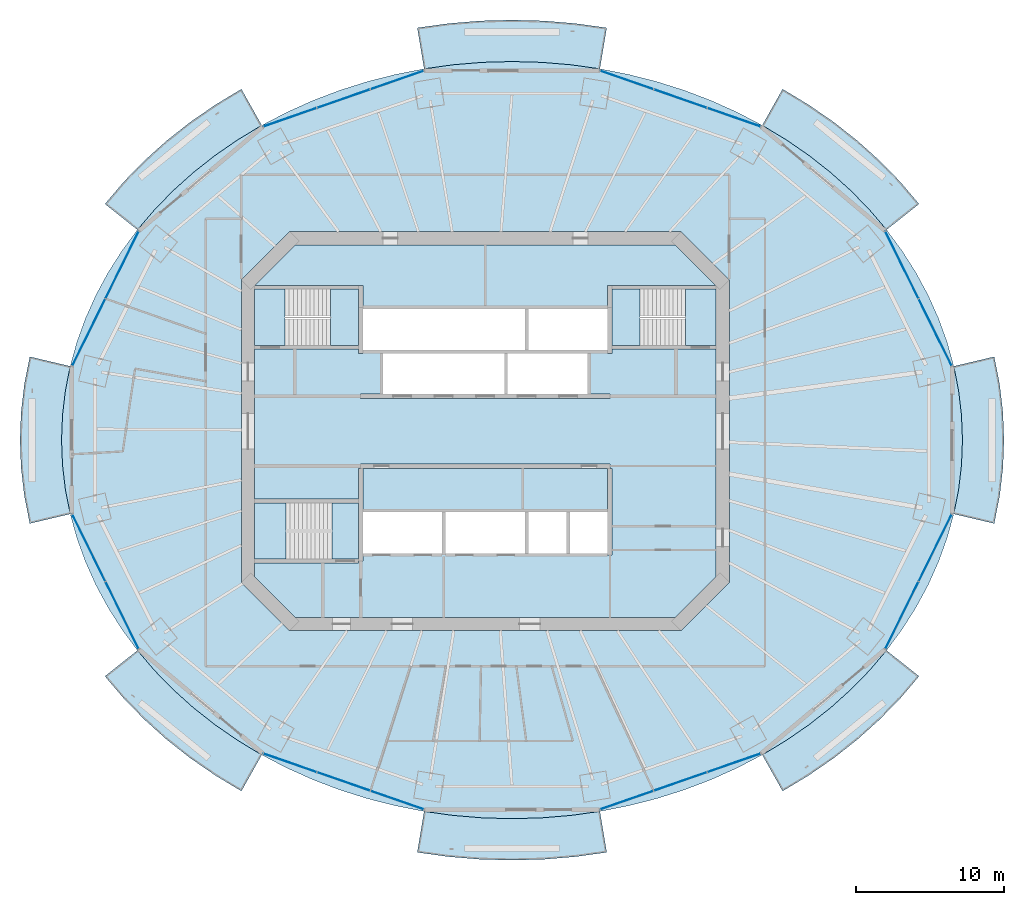
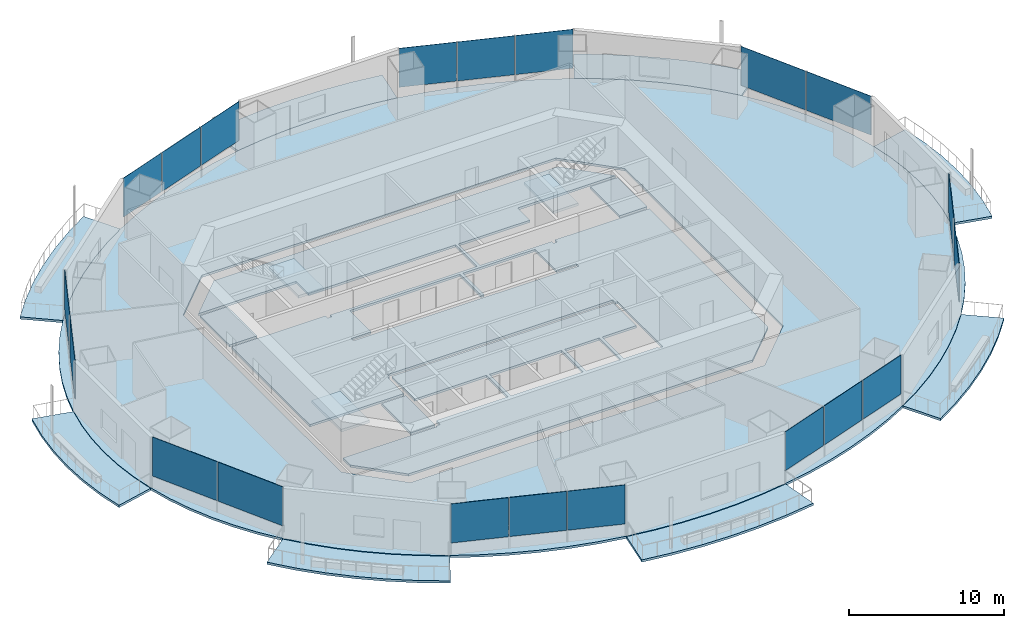
# One storey, part 9 of 19: 20 plates, 16 slabs, 11 elements without a shape of their own.
"""IFC4 building model written with IfcOpenShell, lengths in metres."""

from ifc_helpers import new_model, si_unit, direction, frame, origin, origin_2d, place, context, subcontext, project, spatial, polyline, rectangle, outline, extrude, material, layer, layer_set, type_object, element, aggregate, save


model = new_model("IFC4")

# Units and contexts
model_context = context("Model", 3, precision=1e-05, world=origin(), true_north=direction((0.0, 1.0)))
body_context = subcontext(model_context, "Body", "Model", "MODEL_VIEW")
ifc_project = project(units=[si_unit("LENGTHUNIT", "METRE"), si_unit("AREAUNIT", "SQUARE_METRE"), si_unit("VOLUMEUNIT", "CUBIC_METRE"), si_unit("PLANEANGLEUNIT", "RADIAN"), si_unit("MASSUNIT", "GRAM", prefix="KILO")], contexts=[model_context])

# Site, building, storey
site_placement = place(None, origin())
site = spatial("IfcSite", under=ifc_project, at=site_placement, CompositionType="ELEMENT")
building_placement = place(site_placement, origin())
building = spatial("IfcBuilding", under=site, at=building_placement, Name="Marenthal Gate Tower", CompositionType="ELEMENT")
storey_placement = place(building_placement, frame((0.0, 0.0, 239.89990234375)))
storey = spatial("IfcBuildingStorey", under=building, at=storey_placement, Name="L53", CompositionType="ELEMENT", Elevation=239.89990234375)

# Slabs
ifc_material_1 = material(Name="Concrete 40 MPa", Category="concrete")
ifc_layer_1 = layer(ifc_material_1, 0.179931640625)
ifc_layer_set_1 = layer_set([ifc_layer_1], Name="Balcony deck 180")
slab_type_1 = type_object("IfcSlabType", Name="Balcony deck 180", PredefinedType="USERDEFINED", material=ifc_layer_set_1)
slab_1_placement = place(storey_placement, frame((0.0, 0.0, -0.219970703125)))
element("IfcSlab", 1, at=slab_1_placement, inside=storey, type_object=slab_type_1, Name="Balcony deck L53 bay 2", ObjectType="BALCONY", PredefinedType="USERDEFINED", context=body_context, shape_type="SweptSolid", body=[
    extrude(outline(polyline([(27.047607421875, 13.57763671875), (25.89013671875, 14.93505859375), (24.629638671875, 16.225830078125), (23.271240234375, 17.444580078125), (21.821044921875, 18.586181640625), (20.284912109375, 19.6455078125), (18.669921875, 20.618408203125), (20.040771484375, 23.059814453125), (21.802490234375, 21.998779296875), (23.482177734375, 20.840087890625), (25.07275390625, 19.588134765625), (26.56689453125, 18.247314453125), (27.9580078125, 16.822998046875), (29.2392578125, 15.320068359375), (27.047607421875, 13.57763671875)])), origin(), (0.0, 0.0, 1.0), 0.18017578125),
])
slab_2_placement = place(storey_placement, frame((0.0, 0.0, -0.219970703125)))
element("IfcSlab", 2, at=slab_2_placement, inside=storey, type_object=slab_type_1, Name="Balcony deck L53 bay 4", ObjectType="BALCONY", PredefinedType="USERDEFINED", context=body_context, shape_type="SweptSolid", body=[
    extrude(outline(polyline([(7.723876953125, 24.4287109375), (5.763427734375, 24.70068359375), (3.785888671875, 24.864501953125), (1.800048828125, 24.9189453125), (-0.18603515625, 24.864501953125), (-2.163330078125, 24.70068359375), (-4.123779296875, 24.4287109375), (-4.58544921875, 27.1904296875), (-2.471435546875, 27.483642578125), (-0.340087890625, 27.66015625), (1.800048828125, 27.718994140625), (3.93994140625, 27.66015625), (6.0712890625, 27.483642578125), (8.185546875, 27.1904296875), (7.723876953125, 24.4287109375)])), origin(), (0.0, 0.0, 1.0), 0.18017578125),
])
slab_3_placement = place(storey_placement, frame((0.0, 0.0, -0.219970703125)))
element("IfcSlab", 3, at=slab_3_placement, inside=storey, type_object=slab_type_1, Name="Balcony deck L53 bay 6", ObjectType="BALCONY", PredefinedType="USERDEFINED", context=body_context, shape_type="SweptSolid", body=[
    extrude(outline(polyline([(-15.06982421875, 20.618408203125), (-16.68505859375, 19.6455078125), (-18.220947265625, 18.586181640625), (-19.67138671875, 17.444580078125), (-21.029541015625, 16.225830078125), (-22.290283203125, 14.93505859375), (-23.447509765625, 13.57763671875), (-25.639404296875, 15.320068359375), (-24.35791015625, 16.822998046875), (-22.966796875, 18.247314453125), (-21.47265625, 19.588134765625), (-19.88232421875, 20.840087890625), (-18.202392578125, 21.998779296875), (-16.44091796875, 23.059814453125), (-15.06982421875, 20.618408203125)])), origin(), (0.0, 0.0, 1.0), 0.18017578125),
])
slab_4_placement = place(storey_placement, frame((0.0, 0.0, -0.219970703125)))
element("IfcSlab", 4, at=slab_4_placement, inside=storey, type_object=slab_type_1, Name="Balcony deck L53 bay 8", ObjectType="BALCONY", PredefinedType="USERDEFINED", context=body_context, shape_type="SweptSolid", body=[
    extrude(outline(polyline([(-27.9814453125, 4.37841796875), (-28.30517578125, 2.73095703125), (-28.5, 1.069091796875), (-28.56494140625, -0.60009765625), (-28.5, -2.26904296875), (-28.30517578125, -3.930908203125), (-27.9814453125, -5.57861328125), (-30.706298828125, -6.223388671875), (-31.071533203125, -4.3642578125), (-31.29150390625, -2.48681640625), (-31.364990234375, -0.60009765625), (-31.29150390625, 1.28662109375), (-31.071533203125, 3.164306640625), (-30.706298828125, 5.0234375), (-27.9814453125, 4.37841796875)])), origin(), (0.0, 0.0, 1.0), 0.18017578125),
])
slab_5_placement = place(storey_placement, frame((0.0, 0.0, -0.219970703125)))
element("IfcSlab", 5, at=slab_5_placement, inside=storey, type_object=slab_type_1, Name="Balcony deck L53 bay 10", ObjectType="BALCONY", PredefinedType="USERDEFINED", context=body_context, shape_type="SweptSolid", body=[
    extrude(outline(polyline([(-23.447509765625, -14.777587890625), (-22.290283203125, -16.135009765625), (-21.029541015625, -17.42578125), (-19.67138671875, -18.644775390625), (-18.220947265625, -19.7861328125), (-16.68505859375, -20.845703125), (-15.06982421875, -21.818359375), (-16.44091796875, -24.259765625), (-18.202392578125, -23.19873046875), (-19.88232421875, -22.040283203125), (-21.47265625, -20.788330078125), (-22.966796875, -19.447509765625), (-24.35791015625, -18.02294921875), (-25.639404296875, -16.52001953125), (-23.447509765625, -14.777587890625)])), origin(), (0.0, 0.0, 1.0), 0.18017578125),
])
slab_6_placement = place(storey_placement, frame((0.0, 0.0, -0.219970703125)))
element("IfcSlab", 6, at=slab_6_placement, inside=storey, type_object=slab_type_1, Name="Balcony deck L53 bay 12", ObjectType="BALCONY", PredefinedType="USERDEFINED", context=body_context, shape_type="SweptSolid", body=[
    extrude(outline(polyline([(-4.123779296875, -25.628662109375), (-2.163330078125, -25.900634765625), (-0.18603515625, -26.064453125), (1.800048828125, -26.118896484375), (3.785888671875, -26.064453125), (5.763427734375, -25.900634765625), (7.723876953125, -25.628662109375), (8.185546875, -28.390380859375), (6.0712890625, -28.683837890625), (3.93994140625, -28.860107421875), (1.800048828125, -28.9189453125), (-0.340087890625, -28.860107421875), (-2.471435546875, -28.683837890625), (-4.58544921875, -28.390380859375), (-4.123779296875, -25.628662109375)])), origin(), (0.0, 0.0, 1.0), 0.18017578125),
])
slab_7_placement = place(storey_placement, frame((0.0, 0.0, -0.219970703125)))
element("IfcSlab", 7, at=slab_7_placement, inside=storey, type_object=slab_type_1, Name="Balcony deck L53 bay 14", ObjectType="BALCONY", PredefinedType="USERDEFINED", context=body_context, shape_type="SweptSolid", body=[
    extrude(outline(polyline([(18.669921875, -21.818359375), (20.284912109375, -20.845703125), (21.821044921875, -19.7861328125), (23.271240234375, -18.644775390625), (24.629638671875, -17.42578125), (25.89013671875, -16.135009765625), (27.047607421875, -14.777587890625), (29.2392578125, -16.52001953125), (27.9580078125, -18.02294921875), (26.56689453125, -19.447509765625), (25.07275390625, -20.788330078125), (23.482177734375, -22.040283203125), (21.802490234375, -23.19873046875), (20.040771484375, -24.259765625), (18.669921875, -21.818359375)])), origin(), (0.0, 0.0, 1.0), 0.18017578125),
])
slab_8_placement = place(storey_placement, frame((0.0, 0.0, -0.219970703125)))
element("IfcSlab", 8, at=slab_8_placement, inside=storey, type_object=slab_type_1, Name="Balcony deck L53 bay 16", ObjectType="BALCONY", PredefinedType="USERDEFINED", context=body_context, shape_type="SweptSolid", body=[
    extrude(outline(polyline([(31.58154296875, -5.57861328125), (31.9052734375, -3.930908203125), (32.10009765625, -2.26904296875), (32.1650390625, -0.60009765625), (32.10009765625, 1.069091796875), (31.9052734375, 2.73095703125), (31.58154296875, 4.37841796875), (34.30615234375, 5.0234375), (34.67138671875, 3.164306640625), (34.8916015625, 1.28662109375), (34.965087890625, -0.60009765625), (34.8916015625, -2.48681640625), (34.67138671875, -4.3642578125), (34.30615234375, -6.223388671875), (31.58154296875, -5.57861328125)])), origin(), (0.0, 0.0, 1.0), 0.18017578125),
])
ifc_material_2 = material(Name="Concrete 50 MPa", Category="concrete")
ifc_layer_2 = layer(ifc_material_2, 0.179931640625)
ifc_layer_set_2 = layer_set([ifc_layer_2], Name="Core floor slab 180")
slab_type_2 = type_object("IfcSlabType", Name="Core floor slab 180", PredefinedType="FLOOR", material=ifc_layer_set_2)
slab_9_placement = place(storey_placement, frame((0.0, 0.0, -0.179931640625)))
element("IfcSlab", 9, at=slab_9_placement, inside=storey, type_object=slab_type_2, Name="Core floor L53", PredefinedType="FLOOR", context=body_context, shape_type="SweptSolid", body=[
    extrude(outline(polyline([(12.813720703125, -12.550048828125), (-12.813720703125, -12.550048828125), (-15.550048828125, -9.813720703125), (-15.550048828125, -8.875), (-8.550048828125, -8.875), (-8.550048828125, -8.75), (-8.25, -8.75), (-8.25, -8.239990234375), (-5.60009765625, -8.239990234375), (-2.909912109375, -8.239990234375), (-2.909912109375, -5.4599609375), (-5.60009765625, -5.4599609375), (-8.25, -5.4599609375), (-8.25, -2.5), (8.25, -2.5), (8.25, -5.4599609375), (5.7099609375, -5.4599609375), (5.7099609375, -8.239990234375), (8.25, -8.239990234375), (8.25, -8.35009765625), (8.550048828125, -8.35009765625), (8.550048828125, -2.5), (8.39990234375, -2.5), (8.39990234375, -2.199951171875), (-8.39990234375, -2.199951171875), (-8.39990234375, -2.5), (-8.550048828125, -2.5), (-8.550048828125, -4.574951171875), (-15.550048828125, -4.574951171875), (-15.550048828125, 5.52490234375), (-8.550048828125, 5.52490234375), (-8.550048828125, 5.239990234375), (-8.25, 5.239990234375), (-8.25, 5.4599609375), (-5.60009765625, 5.4599609375), (-2.800048828125, 5.4599609375), (0.0, 5.4599609375), (2.68994140625, 5.4599609375), (2.68994140625, 8.239990234375), (0.0, 8.239990234375), (-2.800048828125, 8.239990234375), (-5.60009765625, 8.239990234375), (-8.25, 8.239990234375), (-8.25, 8.35009765625), (-8.25, 9.824951171875), (-8.550048828125, 9.824951171875), (-15.53857421875, 9.824951171875), (-12.813720703125, 12.550048828125), (12.813720703125, 12.550048828125), (15.53857421875, 9.824951171875), (8.550048828125, 9.824951171875), (8.25, 9.824951171875), (8.25, 8.35009765625), (8.25, 8.239990234375), (5.60009765625, 8.239990234375), (2.909912109375, 8.239990234375), (2.909912109375, 5.4599609375), (5.60009765625, 5.4599609375), (8.25, 5.4599609375), (8.25, 5.239990234375), (8.550048828125, 5.239990234375), (8.550048828125, 5.52490234375), (15.550048828125, 5.52490234375), (15.550048828125, -9.813720703125), (12.813720703125, -12.550048828125)]), holes=[polyline([(2.68994140625, -8.239990234375), (2.68994140625, -5.4599609375), (0.0, -5.4599609375), (-2.68994140625, -5.4599609375), (-2.68994140625, -8.239990234375), (0.0, -8.239990234375), (2.68994140625, -8.239990234375)]), polyline([(-6.889892578125, 5.239990234375), (-6.889892578125, 2.5), (-8.39990234375, 2.5), (-8.39990234375, 2.199951171875), (8.39990234375, 2.199951171875), (8.39990234375, 2.5), (6.889892578125, 2.5), (6.889892578125, 5.239990234375), (4.199951171875, 5.239990234375), (1.510009765625, 5.239990234375), (1.510009765625, 2.5), (1.2900390625, 2.5), (1.2900390625, 5.239990234375), (-1.39990234375, 5.239990234375), (-4.199951171875, 5.239990234375), (-6.889892578125, 5.239990234375)]), polyline([(5.489990234375, -8.239990234375), (5.489990234375, -5.4599609375), (2.909912109375, -5.4599609375), (2.909912109375, -8.239990234375), (5.489990234375, -8.239990234375)])]), origin(), (0.0, 0.0, 1.0), 0.179931640625),
])
slab_10_placement = place(storey_placement, frame((0.0, 0.0, -0.179931640625)))
element("IfcSlab", 10, at=slab_10_placement, inside=storey, type_object=slab_type_2, Name="Core floor L53", PredefinedType="FLOOR", context=body_context, shape_type="SweptSolid", body=[
    extrude(outline(polyline([(15.550048828125, 5.77490234375), (13.5, 5.77490234375), (13.5, 9.574951171875), (15.550048828125, 9.574951171875), (15.550048828125, 5.77490234375)])), origin(), (0.0, 0.0, 1.0), 0.179931640625),
])
slab_11_placement = place(storey_placement, frame((0.0, 0.0, -0.179931640625)))
element("IfcSlab", 11, at=slab_11_placement, inside=storey, type_object=slab_type_2, Name="Core floor L53", PredefinedType="FLOOR", context=body_context, shape_type="SweptSolid", body=[
    extrude(outline(polyline([(-15.550048828125, 9.574951171875), (-13.5, 9.574951171875), (-13.5, 5.77490234375), (-15.550048828125, 5.77490234375), (-15.550048828125, 9.574951171875)])), origin(), (0.0, 0.0, 1.0), 0.179931640625),
])
slab_12_placement = place(storey_placement, frame((0.0, 0.0, -0.179931640625)))
element("IfcSlab", 12, at=slab_12_placement, inside=storey, type_object=slab_type_2, Name="Core floor L53", PredefinedType="FLOOR", context=body_context, shape_type="SweptSolid", body=[
    extrude(outline(polyline([(-8.550048828125, -8.625), (-10.35009765625, -8.625), (-10.35009765625, -4.824951171875), (-8.550048828125, -4.824951171875), (-8.550048828125, -8.625)])), origin(), (0.0, 0.0, 1.0), 0.179931640625),
])
ifc_material_3 = material(Name="Concrete 35 MPa", Category="concrete")
ifc_layer_3 = layer(ifc_material_3, 0.179931640625)
ifc_layer_set_3 = layer_set([ifc_layer_3], Name="Floor slab 180")
slab_type_3 = type_object("IfcSlabType", Name="Floor slab 180", PredefinedType="FLOOR", material=ifc_layer_set_3)
slab_13_placement = place(storey_placement, frame((0.0, 0.0, -0.179931640625)))
element("IfcSlab", 13, at=slab_13_placement, inside=storey, type_object=slab_type_3, Name="SL-L53-01", PredefinedType="FLOOR", context=body_context, shape_type="SweptSolid", body=[
    extrude(outline(polyline([(32.1650390625, -0.60009765625), (32.10009765625, 1.069091796875), (31.9052734375, 2.73095703125), (31.58154296875, 4.37841796875), (31.13037109375, 6.0048828125), (30.553466796875, 7.602783203125), (29.853515625, 9.165771484375), (29.033447265625, 10.686767578125), (28.096923828125, 12.159423828125), (27.047607421875, 13.57763671875), (25.89013671875, 14.93505859375), (24.629638671875, 16.225830078125), (23.271240234375, 17.444580078125), (21.821044921875, 18.586181640625), (20.284912109375, 19.6455078125), (18.669921875, 20.618408203125), (16.982421875, 21.5), (15.22998046875, 22.287353515625), (13.420166015625, 22.9765625), (11.560546875, 23.564697265625), (9.658935546875, 24.049560546875), (7.723876953125, 24.4287109375), (5.763427734375, 24.70068359375), (3.785888671875, 24.864501953125), (1.800048828125, 24.9189453125), (-0.18603515625, 24.864501953125), (-2.163330078125, 24.70068359375), (-4.123779296875, 24.4287109375), (-6.05908203125, 24.049560546875), (-7.96044921875, 23.564697265625), (-9.8203125, 22.9765625), (-11.630126953125, 22.287353515625), (-13.382568359375, 21.5), (-15.06982421875, 20.618408203125), (-16.68505859375, 19.6455078125), (-18.220947265625, 18.586181640625), (-19.67138671875, 17.444580078125), (-21.029541015625, 16.225830078125), (-22.290283203125, 14.93505859375), (-23.447509765625, 13.57763671875), (-24.496826171875, 12.159423828125), (-25.43359375, 10.686767578125), (-26.253662109375, 9.165771484375), (-26.95361328125, 7.602783203125), (-27.5302734375, 6.0048828125), (-27.9814453125, 4.37841796875), (-28.30517578125, 2.73095703125), (-28.5, 1.069091796875), (-28.56494140625, -0.60009765625), (-28.5, -2.26904296875), (-28.30517578125, -3.930908203125), (-27.9814453125, -5.57861328125), (-27.5302734375, -7.204833984375), (-26.95361328125, -8.802734375), (-26.253662109375, -10.36572265625), (-25.43359375, -11.88671875), (-24.496826171875, -13.359619140625), (-23.447509765625, -14.777587890625), (-22.290283203125, -16.135009765625), (-21.029541015625, -17.42578125), (-19.67138671875, -18.644775390625), (-18.220947265625, -19.7861328125), (-16.68505859375, -20.845703125), (-15.06982421875, -21.818359375), (-13.382568359375, -22.7001953125), (-11.630126953125, -23.4873046875), (-9.8203125, -24.176513671875), (-7.96044921875, -24.7646484375), (-6.05908203125, -25.24951171875), (-4.123779296875, -25.628662109375), (-2.163330078125, -25.900634765625), (-0.18603515625, -26.064453125), (1.800048828125, -26.118896484375), (3.785888671875, -26.064453125), (5.763427734375, -25.900634765625), (7.723876953125, -25.628662109375), (9.658935546875, -25.24951171875), (11.560546875, -24.7646484375), (13.420166015625, -24.176513671875), (15.22998046875, -23.4873046875), (16.982421875, -22.7001953125), (18.669921875, -21.818359375), (20.284912109375, -20.845703125), (21.821044921875, -19.7861328125), (23.271240234375, -18.644775390625), (24.629638671875, -17.42578125), (25.89013671875, -16.135009765625), (27.047607421875, -14.777587890625), (28.096923828125, -13.359619140625), (29.033447265625, -11.88671875), (29.853515625, -10.36572265625), (30.553466796875, -8.802734375), (31.13037109375, -7.204833984375), (31.58154296875, -5.57861328125), (31.9052734375, -3.930908203125), (32.10009765625, -2.26904296875), (32.1650390625, -0.60009765625)]), holes=[polyline([(13.186279296875, -13.449951171875), (16.449951171875, -10.186279296875), (16.449951171875, 10.186279296875), (13.186279296875, 13.449951171875), (-13.186279296875, 13.449951171875), (-16.449951171875, 10.186279296875), (-16.449951171875, -10.186279296875), (-13.186279296875, -13.449951171875), (13.186279296875, -13.449951171875)])]), origin(), (0.0, 0.0, 1.0), 0.179931640625),
])

# Curtain wall, plates
ifc_material_4 = material(Name="Aluminium and glass", Category="aluminium")
curtain_wall_type = type_object("IfcCurtainWallType", Name="Curtain wall typical mid", PredefinedType="NOTDEFINED", material=ifc_material_4)
curtain_wall_1_placement = place(storey_placement, origin())
curtain_wall_1 = element("IfcCurtainWall", 14, at=curtain_wall_1_placement, inside=storey, type_object=curtain_wall_type, Name="Curtain wall L53 bay 1", PredefinedType="NOTDEFINED")
ifc_material_5 = material(Name="Glass, laminated insulating unit", Category="glass")
ifc_layer_4 = layer(ifc_material_5, 0.030029296875)
ifc_layer_set_4 = layer_set([ifc_layer_4], Name="Glass panel 30 typical mid")
plate_type = type_object("IfcPlateType", Name="Glass panel 30 typical mid", PredefinedType="CURTAIN_PANEL", material=ifc_layer_set_4)
plate_1_placement = place(storey_placement, frame((30.328125, 6.657470703125, 0.89990234375), z_axis=(0.0, 0.0, 1.0), x_axis=(-0.442364258013, 0.896835471663, 0.0)))
plate_1 = element("IfcPlate", 15, at=plate_1_placement, type_object=plate_type, Name="Glass panel L53 bay 1.1", PredefinedType="CURTAIN_PANEL", context=body_context, shape_type="SweptSolid", body=[
    extrude(rectangle(XDim=5.014404296875, YDim=0.030029296875, at=origin_2d()), origin(), (0.0, 0.0, 1.0), 3.070068359375),
])
plate_2_placement = place(storey_placement, frame((28.08349609375, 11.20849609375, 0.89990234375), z_axis=(0.0, 0.0, 1.0), x_axis=(-0.442364258013, 0.896835471663, 0.0)))
plate_2 = element("IfcPlate", 16, at=plate_2_placement, type_object=plate_type, Name="Glass panel L53 bay 1.2", PredefinedType="CURTAIN_PANEL", context=body_context, shape_type="SweptSolid", body=[
    extrude(rectangle(XDim=5.014404296875, YDim=0.030029296875, at=origin_2d()), origin(), (0.0, 0.0, 1.0), 3.070068359375),
])
aggregate(curtain_wall_1, [plate_1, plate_2])

curtain_wall_2_placement = place(storey_placement, origin())
curtain_wall_2 = element("IfcCurtainWall", 17, at=curtain_wall_2_placement, inside=storey, type_object=curtain_wall_type, Name="Curtain wall L53 bay 3", PredefinedType="NOTDEFINED")
plate_3_placement = place(storey_placement, frame((16.76708984375, 21.1572265625, 0.89990234375), z_axis=(0.0, 0.0, 1.0), x_axis=(-0.944489901241, 0.328540448732, 0.0)))
plate_3 = element("IfcPlate", 18, at=plate_3_placement, type_object=plate_type, Name="Glass panel L53 bay 3.1", PredefinedType="CURTAIN_PANEL", context=body_context, shape_type="SweptSolid", body=[
    extrude(rectangle(XDim=3.767822265625, YDim=0.030029296875, at=origin_2d()), origin(), (0.0, 0.0, 1.0), 3.070068359375),
])
plate_4_placement = place(storey_placement, frame((13.15185546875, 22.414794921875, 0.89990234375), z_axis=(0.0, 0.0, 1.0), x_axis=(-0.944489901241, 0.328540448732, 0.0)))
plate_4 = element("IfcPlate", 19, at=plate_4_placement, type_object=plate_type, Name="Glass panel L53 bay 3.2", PredefinedType="CURTAIN_PANEL", context=body_context, shape_type="SweptSolid", body=[
    extrude(rectangle(XDim=3.767822265625, YDim=0.030029296875, at=origin_2d()), origin(), (0.0, 0.0, 1.0), 3.070068359375),
])
plate_5_placement = place(storey_placement, frame((9.536376953125, 23.67236328125, 0.89990234375), z_axis=(0.0, 0.0, 1.0), x_axis=(-0.944489901241, 0.328540448732, 0.0)))
plate_5 = element("IfcPlate", 20, at=plate_5_placement, type_object=plate_type, Name="Glass panel L53 bay 3.3", PredefinedType="CURTAIN_PANEL", context=body_context, shape_type="SweptSolid", body=[
    extrude(rectangle(XDim=3.767822265625, YDim=0.030029296875, at=origin_2d()), origin(), (0.0, 0.0, 1.0), 3.070068359375),
])
aggregate(curtain_wall_2, [plate_3, plate_4, plate_5])

curtain_wall_3_placement = place(storey_placement, origin())
curtain_wall_3 = element("IfcCurtainWall", 21, at=curtain_wall_3_placement, inside=storey, type_object=curtain_wall_type, Name="Curtain wall L53 bay 5", PredefinedType="NOTDEFINED")
plate_6_placement = place(storey_placement, frame((-5.9365234375, 23.67236328125, 0.89990234375), z_axis=(0.0, 0.0, 1.0), x_axis=(-0.944489901241, -0.328540448732, 0.0)))
plate_6 = element("IfcPlate", 22, at=plate_6_placement, type_object=plate_type, Name="Glass panel L53 bay 5.1", PredefinedType="CURTAIN_PANEL", context=body_context, shape_type="SweptSolid", body=[
    extrude(rectangle(XDim=3.767822265625, YDim=0.030029296875, at=origin_2d()), origin(), (0.0, 0.0, 1.0), 3.070068359375),
])
plate_7_placement = place(storey_placement, frame((-9.5517578125, 22.414794921875, 0.89990234375), z_axis=(0.0, 0.0, 1.0), x_axis=(-0.944489901241, -0.328540448732, 0.0)))
plate_7 = element("IfcPlate", 23, at=plate_7_placement, type_object=plate_type, Name="Glass panel L53 bay 5.2", PredefinedType="CURTAIN_PANEL", context=body_context, shape_type="SweptSolid", body=[
    extrude(rectangle(XDim=3.767822265625, YDim=0.030029296875, at=origin_2d()), origin(), (0.0, 0.0, 1.0), 3.070068359375),
])
plate_8_placement = place(storey_placement, frame((-13.167236328125, 21.1572265625, 0.89990234375), z_axis=(0.0, 0.0, 1.0), x_axis=(-0.944489901241, -0.328540448732, 0.0)))
plate_8 = element("IfcPlate", 24, at=plate_8_placement, type_object=plate_type, Name="Glass panel L53 bay 5.3", PredefinedType="CURTAIN_PANEL", context=body_context, shape_type="SweptSolid", body=[
    extrude(rectangle(XDim=3.767822265625, YDim=0.030029296875, at=origin_2d()), origin(), (0.0, 0.0, 1.0), 3.070068359375),
])
aggregate(curtain_wall_3, [plate_6, plate_7, plate_8])

curtain_wall_4_placement = place(storey_placement, origin())
curtain_wall_4 = element("IfcCurtainWall", 25, at=curtain_wall_4_placement, inside=storey, type_object=curtain_wall_type, Name="Curtain wall L53 bay 7", PredefinedType="NOTDEFINED")
plate_9_placement = place(storey_placement, frame((-24.4833984375, 11.20849609375, 0.89990234375), z_axis=(0.0, 0.0, 1.0), x_axis=(-0.442364258013, -0.896835471663, 0.0)))
plate_9 = element("IfcPlate", 26, at=plate_9_placement, type_object=plate_type, Name="Glass panel L53 bay 7.1", PredefinedType="CURTAIN_PANEL", context=body_context, shape_type="SweptSolid", body=[
    extrude(rectangle(XDim=5.014404296875, YDim=0.030029296875, at=origin_2d()), origin(), (0.0, 0.0, 1.0), 3.070068359375),
])
plate_10_placement = place(storey_placement, frame((-26.728271484375, 6.657470703125, 0.89990234375), z_axis=(0.0, 0.0, 1.0), x_axis=(-0.442364258013, -0.896835471663, 0.0)))
plate_10 = element("IfcPlate", 27, at=plate_10_placement, type_object=plate_type, Name="Glass panel L53 bay 7.2", PredefinedType="CURTAIN_PANEL", context=body_context, shape_type="SweptSolid", body=[
    extrude(rectangle(XDim=5.014404296875, YDim=0.030029296875, at=origin_2d()), origin(), (0.0, 0.0, 1.0), 3.070068359375),
])
aggregate(curtain_wall_4, [plate_9, plate_10])

curtain_wall_5_placement = place(storey_placement, origin())
curtain_wall_5 = element("IfcCurtainWall", 28, at=curtain_wall_5_placement, inside=storey, type_object=curtain_wall_type, Name="Curtain wall L53 bay 9", PredefinedType="NOTDEFINED")
plate_11_placement = place(storey_placement, frame((-26.728271484375, -7.857421875, 0.89990234375), z_axis=(0.0, 0.0, 1.0), x_axis=(0.442364258013, -0.896835471663, 0.0)))
plate_11 = element("IfcPlate", 29, at=plate_11_placement, type_object=plate_type, Name="Glass panel L53 bay 9.1", PredefinedType="CURTAIN_PANEL", context=body_context, shape_type="SweptSolid", body=[
    extrude(rectangle(XDim=5.014404296875, YDim=0.030029296875, at=origin_2d()), origin(), (0.0, 0.0, 1.0), 3.070068359375),
])
plate_12_placement = place(storey_placement, frame((-24.4833984375, -12.408447265625, 0.89990234375), z_axis=(0.0, 0.0, 1.0), x_axis=(0.442364258013, -0.896835471663, 0.0)))
plate_12 = element("IfcPlate", 30, at=plate_12_placement, type_object=plate_type, Name="Glass panel L53 bay 9.2", PredefinedType="CURTAIN_PANEL", context=body_context, shape_type="SweptSolid", body=[
    extrude(rectangle(XDim=5.014404296875, YDim=0.030029296875, at=origin_2d()), origin(), (0.0, 0.0, 1.0), 3.070068359375),
])
aggregate(curtain_wall_5, [plate_11, plate_12])

curtain_wall_6_placement = place(storey_placement, origin())
curtain_wall_6 = element("IfcCurtainWall", 31, at=curtain_wall_6_placement, inside=storey, type_object=curtain_wall_type, Name="Curtain wall L53 bay 11", PredefinedType="NOTDEFINED")
plate_13_placement = place(storey_placement, frame((-13.167236328125, -22.357177734375, 0.89990234375), z_axis=(0.0, 0.0, 1.0), x_axis=(0.944489901241, -0.328540448732, 0.0)))
plate_13 = element("IfcPlate", 32, at=plate_13_placement, type_object=plate_type, Name="Glass panel L53 bay 11.1", PredefinedType="CURTAIN_PANEL", context=body_context, shape_type="SweptSolid", body=[
    extrude(rectangle(XDim=3.767822265625, YDim=0.030029296875, at=origin_2d()), origin(), (0.0, 0.0, 1.0), 3.070068359375),
])
plate_14_placement = place(storey_placement, frame((-9.5517578125, -23.61474609375, 0.89990234375), z_axis=(0.0, 0.0, 1.0), x_axis=(0.944489901241, -0.328540448732, 0.0)))
plate_14 = element("IfcPlate", 33, at=plate_14_placement, type_object=plate_type, Name="Glass panel L53 bay 11.2", PredefinedType="CURTAIN_PANEL", context=body_context, shape_type="SweptSolid", body=[
    extrude(rectangle(XDim=3.767822265625, YDim=0.030029296875, at=origin_2d()), origin(), (0.0, 0.0, 1.0), 3.070068359375),
])
plate_15_placement = place(storey_placement, frame((-5.9365234375, -24.872314453125, 0.89990234375), z_axis=(0.0, 0.0, 1.0), x_axis=(0.944489901241, -0.328540448732, 0.0)))
plate_15 = element("IfcPlate", 34, at=plate_15_placement, type_object=plate_type, Name="Glass panel L53 bay 11.3", PredefinedType="CURTAIN_PANEL", context=body_context, shape_type="SweptSolid", body=[
    extrude(rectangle(XDim=3.767822265625, YDim=0.030029296875, at=origin_2d()), origin(), (0.0, 0.0, 1.0), 3.070068359375),
])
aggregate(curtain_wall_6, [plate_13, plate_14, plate_15])

curtain_wall_7_placement = place(storey_placement, origin())
curtain_wall_7 = element("IfcCurtainWall", 35, at=curtain_wall_7_placement, inside=storey, type_object=curtain_wall_type, Name="Curtain wall L53 bay 13", PredefinedType="NOTDEFINED")
plate_16_placement = place(storey_placement, frame((9.536376953125, -24.872314453125, 0.89990234375), z_axis=(0.0, 0.0, 1.0), x_axis=(0.944489901241, 0.328540448732, 0.0)))
plate_16 = element("IfcPlate", 36, at=plate_16_placement, type_object=plate_type, Name="Glass panel L53 bay 13.1", PredefinedType="CURTAIN_PANEL", context=body_context, shape_type="SweptSolid", body=[
    extrude(rectangle(XDim=3.767822265625, YDim=0.030029296875, at=origin_2d()), origin(), (0.0, 0.0, 1.0), 3.070068359375),
])
plate_17_placement = place(storey_placement, frame((13.15185546875, -23.61474609375, 0.89990234375), z_axis=(0.0, 0.0, 1.0), x_axis=(0.944489901241, 0.328540448732, 0.0)))
plate_17 = element("IfcPlate", 37, at=plate_17_placement, type_object=plate_type, Name="Glass panel L53 bay 13.2", PredefinedType="CURTAIN_PANEL", context=body_context, shape_type="SweptSolid", body=[
    extrude(rectangle(XDim=3.767822265625, YDim=0.030029296875, at=origin_2d()), origin(), (0.0, 0.0, 1.0), 3.070068359375),
])
plate_18_placement = place(storey_placement, frame((16.767333984375, -22.357177734375, 0.89990234375), z_axis=(0.0, 0.0, 1.0), x_axis=(0.944489901241, 0.328540448732, 0.0)))
plate_18 = element("IfcPlate", 38, at=plate_18_placement, type_object=plate_type, Name="Glass panel L53 bay 13.3", PredefinedType="CURTAIN_PANEL", context=body_context, shape_type="SweptSolid", body=[
    extrude(rectangle(XDim=3.767822265625, YDim=0.030029296875, at=origin_2d()), origin(), (0.0, 0.0, 1.0), 3.070068359375),
])
aggregate(curtain_wall_7, [plate_16, plate_17, plate_18])

curtain_wall_8_placement = place(storey_placement, origin())
curtain_wall_8 = element("IfcCurtainWall", 39, at=curtain_wall_8_placement, inside=storey, type_object=curtain_wall_type, Name="Curtain wall L53 bay 15", PredefinedType="NOTDEFINED")
plate_19_placement = place(storey_placement, frame((28.08349609375, -12.408447265625, 0.89990234375), z_axis=(0.0, 0.0, 1.0), x_axis=(0.442364258013, 0.896835471663, 0.0)))
plate_19 = element("IfcPlate", 40, at=plate_19_placement, type_object=plate_type, Name="Glass panel L53 bay 15.1", PredefinedType="CURTAIN_PANEL", context=body_context, shape_type="SweptSolid", body=[
    extrude(rectangle(XDim=5.014404296875, YDim=0.030029296875, at=origin_2d()), origin(), (0.0, 0.0, 1.0), 3.070068359375),
])
plate_20_placement = place(storey_placement, frame((30.328125, -7.857421875, 0.89990234375), z_axis=(0.0, 0.0, 1.0), x_axis=(0.442364258013, 0.896835471663, 0.0)))
plate_20 = element("IfcPlate", 41, at=plate_20_placement, type_object=plate_type, Name="Glass panel L53 bay 15.2", PredefinedType="CURTAIN_PANEL", context=body_context, shape_type="SweptSolid", body=[
    extrude(rectangle(XDim=5.014404296875, YDim=0.030029296875, at=origin_2d()), origin(), (0.0, 0.0, 1.0), 3.070068359375),
])
aggregate(curtain_wall_8, [plate_19, plate_20])

# Stair, slab
ifc_material_6 = material(Name="Concrete 40 MPa", Category="concrete")
stair_type = type_object("IfcStairType", Name="Exit stair 1800", PredefinedType="HALF_TURN_STAIR", material=ifc_material_6)
stair_1_placement = place(storey_placement, origin())
stair_1 = element("IfcStair", 42, at=stair_1_placement, inside=storey, type_object=stair_type, Name="Stair ST1", PredefinedType="HALF_TURN_STAIR")
ifc_material_7 = material(Name="Concrete 40 MPa", Category="concrete")
ifc_layer_5 = layer(ifc_material_7, 0.199951171875)
ifc_layer_set_5 = layer_set([ifc_layer_5], Name="Stair landing 200")
slab_type_4 = type_object("IfcSlabType", Name="Stair landing 200", PredefinedType="LANDING", material=ifc_layer_set_5)
slab_14_placement = place(storey_placement, frame((0.0, 0.0, 1.875)))
slab_14 = element("IfcSlab", 43, at=slab_14_placement, type_object=slab_type_4, Name="ST1 landing 1", PredefinedType="LANDING", context=body_context, shape_type="SweptSolid", body=[
    extrude(outline(polyline([(-10.419921875, 5.77490234375), (-8.550048828125, 5.77490234375), (-8.550048828125, 9.574951171875), (-10.419921875, 9.574951171875), (-10.419921875, 5.77490234375)])), origin(), (0.0, 0.0, 1.0), 0.2001953125),
])
aggregate(stair_1, [slab_14])

stair_2_placement = place(storey_placement, origin())
stair_2 = element("IfcStair", 44, at=stair_2_placement, inside=storey, type_object=stair_type, Name="Stair ST2", PredefinedType="HALF_TURN_STAIR")
slab_15_placement = place(storey_placement, frame((0.0, 0.0, 1.875)))
slab_15 = element("IfcSlab", 45, at=slab_15_placement, type_object=slab_type_4, Name="ST2 landing 1", PredefinedType="LANDING", context=body_context, shape_type="SweptSolid", body=[
    extrude(outline(polyline([(-15.550048828125, -8.625), (-13.429931640625, -8.625), (-13.429931640625, -4.824951171875), (-15.550048828125, -4.824951171875), (-15.550048828125, -8.625)])), origin(), (0.0, 0.0, 1.0), 0.2001953125),
])
aggregate(stair_2, [slab_15])

stair_3_placement = place(storey_placement, origin())
stair_3 = element("IfcStair", 46, at=stair_3_placement, inside=storey, type_object=stair_type, Name="Stair ST3", PredefinedType="HALF_TURN_STAIR")
slab_16_placement = place(storey_placement, frame((0.0, 0.0, 1.875)))
slab_16 = element("IfcSlab", 47, at=slab_16_placement, type_object=slab_type_4, Name="ST3 landing 1", PredefinedType="LANDING", context=body_context, shape_type="SweptSolid", body=[
    extrude(outline(polyline([(8.550048828125, 5.77490234375), (10.419921875, 5.77490234375), (10.419921875, 9.574951171875), (8.550048828125, 9.574951171875), (8.550048828125, 5.77490234375)])), origin(), (0.0, 0.0, 1.0), 0.2001953125),
])
aggregate(stair_3, [slab_16])

save(model, "model.ifc")
